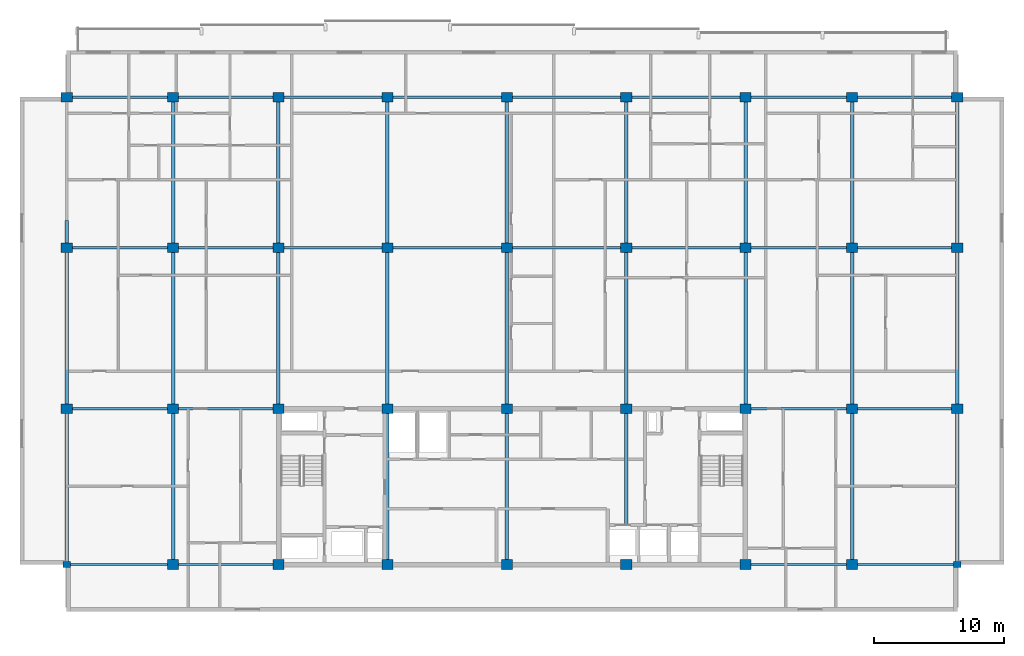
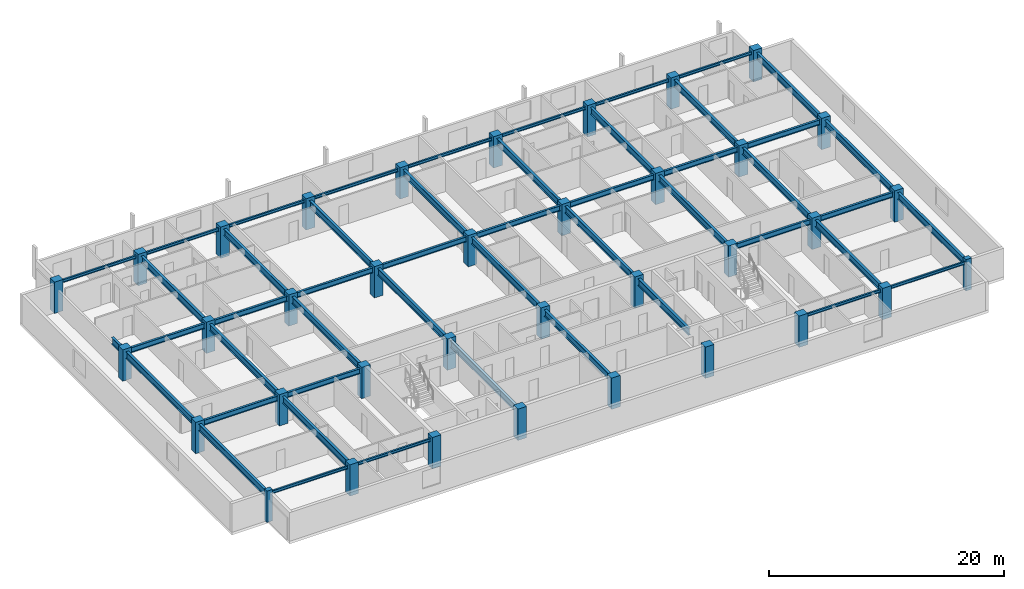
# One storey, part 1 of 10: 49 beams, 36 columns.
"""IFC4 building model written with IfcOpenShell, lengths in metres."""

import ifcopenshell
import ifcopenshell.guid

model = None  # the IFC model being written
_history = None  # IfcOwnerHistory: only IFC2X3 demands one
_inside = {}  # id of a spatial element -> (the spatial element, [elements in it])
_under = {}  # id of a project, library or spatial element -> (it, [spatial elements below it])
_declared = {}  # id of a project -> (the project, [libraries it declares])
_typed = {}  # id of a type object -> (the type object, [elements of that type])
_made_of = {}  # id of a material, layer set ... -> (it, [elements and type objects made of it])


def new_model(schema):
    """Start an empty IFC model of exactly this schema.

    Asked for "IFC4X3", IfcOpenShell would pick the latest addendum, in which some entities
    have other attributes; the version numbers below select the first issue.
    IFC2X3 requires an IfcOwnerHistory on every rooted entity: one is made here for all.
    """
    global model, _history
    if schema == "IFC4X3":
        model = ifcopenshell.file(schema_version=(4, 3, 0, 0))
    else:
        model = ifcopenshell.file(schema=schema)
    _inside.clear()
    _under.clear()
    _declared.clear()
    _typed.clear()
    _made_of.clear()
    _history = None
    if model.schema == "IFC2X3":
        org = make("IfcOrganization", Name="unknown")
        user = make(
            "IfcPersonAndOrganization",
            ThePerson=make("IfcPerson", FamilyName="unknown"),
            TheOrganization=org,
        )
        app = make(
            "IfcApplication",
            ApplicationDeveloper=org,
            Version="unknown",
            ApplicationFullName="unknown",
            ApplicationIdentifier="unknown",
        )
        _history = make(
            "IfcOwnerHistory",
            OwningUser=user,
            OwningApplication=app,
            ChangeAction="ADDED",
            CreationDate=0,
        )
    return model


def make(cls, **values):
    """One entity of the class cls with the attributes given. An attribute that is None is left unset."""
    return model.create_entity(
        cls, **{name: value for name, value in values.items() if value is not None}
    )


def rooted(cls, **values):
    """An entity with a GlobalId (a new one), such as an element, a storey or a relation."""
    return make(cls, GlobalId=ifcopenshell.guid.new(), OwnerHistory=_history, **values)


def si_unit(unit_type, name, prefix=None):
    """IfcSIUnit, for example si_unit("LENGTHUNIT", "METRE", prefix="MILLI")."""
    return make("IfcSIUnit", UnitType=unit_type, Prefix=prefix, Name=name)


def assignment(units):
    """IfcUnitAssignment: the units of a project."""
    return None if units is None else make("IfcUnitAssignment", Units=units)


def point(xyz):
    """IfcCartesianPoint."""
    return None if xyz is None else make("IfcCartesianPoint", Coordinates=xyz)


def direction(xyz):
    """IfcDirection."""
    return None if xyz is None else make("IfcDirection", DirectionRatios=xyz)


def frame(location, z_axis=None, x_axis=None):
    """IfcAxis2Placement3D, a coordinate frame: its origin and axes. An axis left out is left unset."""
    return make(
        "IfcAxis2Placement3D",
        Location=point(location),
        Axis=direction(z_axis),
        RefDirection=direction(x_axis),
    )


def frame_2d(location, x_axis=None):
    """IfcAxis2Placement2D, a coordinate frame in the plane: its origin and x axis."""
    return make(
        "IfcAxis2Placement2D", Location=point(location), RefDirection=direction(x_axis)
    )


def origin():
    """The frame at (0, 0, 0) with its axes left unset."""
    return frame((0.0, 0.0, 0.0))


def origin_2d():
    """The frame at (0, 0) in the plane with its x axis left unset."""
    return frame_2d((0.0, 0.0))


def place(relative_to, where):
    """IfcLocalPlacement: puts the frame where relative to a parent placement (None: the world)."""
    return make(
        "IfcLocalPlacement", PlacementRelTo=relative_to, RelativePlacement=where
    )


def context(
    kind, dimensions, precision=None, world=None, true_north=None, identifier=None
):
    """IfcGeometricRepresentationContext, for example the 3D "Model" context."""
    return make(
        "IfcGeometricRepresentationContext",
        ContextIdentifier=identifier,
        ContextType=kind,
        CoordinateSpaceDimension=dimensions,
        Precision=precision,
        WorldCoordinateSystem=world,
        TrueNorth=true_north,
    )


def subcontext(parent, identifier, kind, view, scale=None):
    """IfcGeometricRepresentationSubContext, for example "Body" below "Model"."""
    return make(
        "IfcGeometricRepresentationSubContext",
        ContextIdentifier=identifier,
        ContextType=kind,
        ParentContext=parent,
        TargetScale=scale,
        TargetView=view,
    )


def project(units=None, contexts=None):
    """IfcProject with its units and contexts."""
    return rooted(
        "IfcProject",
        Name="project",
        RepresentationContexts=contexts,
        UnitsInContext=assignment(units),
    )


def spatial(cls, under=None, at=None, **own):
    """A site, building, storey or space (cls), placed at a placement, below another one or the project."""
    s = rooted(cls, ObjectPlacement=at, **own)
    if under is not None:
        _under.setdefault(under.id(), (under, []))[1].append(s)
    return s


def profile(cls, at=None, kind="AREA", **sizes):
    """A parametric profile (cls). Its sizes go by their IFC names, for example OverallWidth=200.0."""
    return make(cls, ProfileType=kind, Position=at, **sizes)


def rectangle(**sizes):
    """IfcRectangleProfileDef."""
    return profile("IfcRectangleProfileDef", **sizes)


def i_section(**sizes):
    """IfcIShapeProfileDef."""
    return profile("IfcIShapeProfileDef", **sizes)


def extrude(swept, where, along, depth):
    """IfcExtrudedAreaSolid: the profile swept, set in the frame where, extruded along a direction by depth."""
    return make(
        "IfcExtrudedAreaSolid",
        SweptArea=swept,
        Position=where,
        ExtrudedDirection=direction(along),
        Depth=depth,
    )


def shape(context_of_items, identifier, shape_type, items):
    """IfcShapeRepresentation: the items that make up one representation, for example the "Body"."""
    return make(
        "IfcShapeRepresentation",
        ContextOfItems=context_of_items,
        RepresentationIdentifier=identifier,
        RepresentationType=shape_type,
        Items=items,
    )


def material(Name=None, Category=None):
    """IfcMaterial."""
    return make("IfcMaterial", Name=Name, Category=Category)


def material_profile(
    of_material, cross_section, Name=None, Category=None, Priority=None
):
    """IfcMaterialProfile: a cross section and its material."""
    return make(
        "IfcMaterialProfile",
        Name=Name,
        Material=of_material,
        Profile=cross_section,
        Priority=Priority,
        Category=Category,
    )


def profile_set(profiles, Name=None, composite=None):
    """IfcMaterialProfileSet."""
    return make(
        "IfcMaterialProfileSet",
        Name=Name,
        MaterialProfiles=profiles,
        CompositeProfile=composite,
    )


def made_of(thing, what):
    """Note that an element or type object is made of a material, layer set ...; save() writes the relation."""
    if what is not None:
        _made_of.setdefault(what.id(), (what, []))[1].append(thing)
    return thing


def type_object(cls, material=None, **own):
    """A type object (cls), such as IfcWallType, which elements share."""
    return made_of(rooted(cls, **own), material)


def element(
    cls,
    number,
    at=None,
    inside=None,
    cuts=None,
    type_object=None,
    material=None,
    context=None,
    identifier="Body",
    shape_type=None,
    held_by="IfcProductDefinitionShape",
    body=None,
    shapes=None,
    **own,
):
    """One element of the class cls, such as IfcWall. Its Tag is "e" and its number.

    at: its placement. inside: the storey or other place that contains it. cuts: it is an
    opening in that element (IfcRelVoidsElement). A single representation is given by context,
    identifier, shape_type and body (its items); several are given by shapes. held_by: the class
    of the entity that holds the representations. save() writes the other relations.
    """
    e = rooted(cls, Tag="e%d" % number, ObjectPlacement=at, **own)
    if body is not None:
        shapes = [shape(context, identifier, shape_type, body)]
    if shapes is not None:
        e.Representation = make(held_by, Representations=shapes)
    if inside is not None:
        _inside.setdefault(inside.id(), (inside, []))[1].append(e)
    if cuts is not None:
        rooted(
            "IfcRelVoidsElement", RelatingBuildingElement=cuts, RelatedOpeningElement=e
        )
    if type_object is not None:
        _typed.setdefault(type_object.id(), (type_object, []))[1].append(e)
    return made_of(e, material)


def aggregate(whole, parts):
    """IfcRelAggregates: a whole, such as a stair, and the parts it consists of."""
    return rooted("IfcRelAggregates", RelatingObject=whole, RelatedObjects=parts)


def save(model, path):
    """Write the relations noted so far, then the file.

    IfcRelAggregates (storeys below a building ...), IfcRelContainedInSpatialStructure (elements
    in a storey), IfcRelDefinesByType, IfcRelAssociatesMaterial and IfcRelDeclares: one each for
    every whole, place, type object, material and project.
    """
    for whole, parts in _under.values():
        aggregate(whole, parts)
    for where, things in _inside.values():
        rooted(
            "IfcRelContainedInSpatialStructure",
            RelatedElements=things,
            RelatingStructure=where,
        )
    for kind, things in _typed.values():
        rooted("IfcRelDefinesByType", RelatedObjects=things, RelatingType=kind)
    for what, things in _made_of.values():
        rooted("IfcRelAssociatesMaterial", RelatedObjects=things, RelatingMaterial=what)
    for by, libraries in _declared.values():
        rooted("IfcRelDeclares", RelatingContext=by, RelatedDefinitions=libraries)
    model.write(path)


model = new_model("IFC4")

# Units and contexts
model_context = context("Model", 3, precision=1e-05, world=origin(), true_north=direction((0.0, 1.0)))
body_context = subcontext(model_context, "Body", "Model", "MODEL_VIEW")
ifc_project = project(units=[si_unit("LENGTHUNIT", "METRE"), si_unit("AREAUNIT", "SQUARE_METRE"), si_unit("VOLUMEUNIT", "CUBIC_METRE"), si_unit("PLANEANGLEUNIT", "RADIAN"), si_unit("MASSUNIT", "GRAM", prefix="KILO")], contexts=[model_context])

# Site, building, storey
site_placement = place(None, origin())
site = spatial("IfcSite", under=ifc_project, at=site_placement, CompositionType="ELEMENT")
building_placement = place(site_placement, origin())
building = spatial("IfcBuilding", under=site, at=building_placement, Name="Korimba Cascade Residences", CompositionType="ELEMENT")
storey_placement = place(building_placement, frame((0.0, 0.0, 214.10009765625)))
storey = spatial("IfcBuildingStorey", under=building, at=storey_placement, Name="L62", CompositionType="ELEMENT", Elevation=214.10009765625)

# Columns
ifc_material_1 = material(Name="Concrete C65/80", Category="concrete")
ifc_material_profile_1 = material_profile(ifc_material_1, rectangle(XDim=0.550048828125, YDim=0.449951171875, at=origin_2d()), Name="Concrete C65/80")
ifc_profile_set_1 = profile_set([ifc_material_profile_1], Name="Concrete C65/80")
column_type_1 = type_object("IfcColumnType", Name="COL-PIL-550", PredefinedType="PILASTER", material=ifc_profile_set_1)
for number, where, z_axis, x_axis, name in (
    (1, (59.800048828125, 55.199951171875, 0.0), (0.0, 0.0, 1.0), (1.0, 0.0, 0.0), "L62 Tower 1 Column 1.1"),
    (2, (128.39990234375, 55.199951171875, 0.0), (0.0, 0.0, 1.0), (1.0, 0.0, 0.0), "L62 Tower 1 Column 9.1"),
):
    element("IfcColumn", number, at=place(storey_placement, frame(where, z_axis=z_axis, x_axis=x_axis)), inside=storey, type_object=column_type_1, Name=name, PredefinedType="PILASTER", context=body_context, shape_type="SweptSolid", body=[
        extrude(rectangle(XDim=0.550048828125, YDim=0.449951171875, at=origin_2d()), origin(), (0.0, 0.0, 1.0), 3.25),
    ])
ifc_material_profile_2 = material_profile(ifc_material_1, rectangle(XDim=0.85009765625, YDim=0.75, at=origin_2d()), Name="Concrete C65/80")
ifc_profile_set_2 = profile_set([ifc_material_profile_2], Name="Concrete C65/80")
column_type_2 = type_object("IfcColumnType", Name="COL-RC-850", PredefinedType="COLUMN", material=ifc_profile_set_2)
for number, where, z_axis, x_axis, name in (
    (3, (59.800048828125, 67.199951171875, 0.0), (0.0, 0.0, 1.0), (1.0, 0.0, 0.0), "L62 Tower 1 Column 1.2"),
    (4, (59.800048828125, 79.60009765625, 0.0), (0.0, 0.0, 1.0), (1.0, 0.0, 0.0), "L62 Tower 1 Column 1.3"),
    (5, (59.800048828125, 91.199951171875, 0.0), (0.0, 0.0, 1.0), (1.0, 0.0, 0.0), "L62 Tower 1 Column 1.4"),
    (6, (68.0, 55.199951171875, 0.0), (0.0, 0.0, 1.0), (1.0, 0.0, 0.0), "L62 Tower 1 Column 2.1"),
    (7, (68.0, 67.199951171875, 0.0), (0.0, 0.0, 1.0), (1.0, 0.0, 0.0), "L62 Tower 1 Column 2.2"),
    (8, (68.0, 79.60009765625, 0.0), (0.0, 0.0, 1.0), (1.0, 0.0, 0.0), "L62 Tower 1 Column 2.3"),
    (9, (68.0, 91.199951171875, 0.0), (0.0, 0.0, 1.0), (1.0, 0.0, 0.0), "L62 Tower 1 Column 2.4"),
    (10, (76.10009765625, 55.199951171875, 0.0), (0.0, 0.0, 1.0), (1.0, 0.0, 0.0), "L62 Tower 1 Column 3.1"),
    (11, (76.10009765625, 67.199951171875, 0.0), (0.0, 0.0, 1.0), (1.0, 0.0, 0.0), "L62 Tower 1 Column 3.2"),
    (12, (76.10009765625, 79.60009765625, 0.0), (0.0, 0.0, 1.0), (1.0, 0.0, 0.0), "L62 Tower 1 Column 3.3"),
    (13, (76.10009765625, 91.199951171875, 0.0), (0.0, 0.0, 1.0), (1.0, 0.0, 0.0), "L62 Tower 1 Column 3.4"),
    (14, (84.5, 55.199951171875, 0.0), (0.0, 0.0, 1.0), (1.0, 0.0, 0.0), "L62 Tower 1 Column 4.1"),
    (15, (84.5, 67.199951171875, 0.0), (0.0, 0.0, 1.0), (1.0, 0.0, 0.0), "L62 Tower 1 Column 4.2"),
    (16, (84.5, 79.60009765625, 0.0), (0.0, 0.0, 1.0), (1.0, 0.0, 0.0), "L62 Tower 1 Column 4.3"),
    (17, (84.5, 91.199951171875, 0.0), (0.0, 0.0, 1.0), (1.0, 0.0, 0.0), "L62 Tower 1 Column 4.4"),
    (18, (93.699951171875, 55.199951171875, 0.0), (0.0, 0.0, 1.0), (1.0, 0.0, 0.0), "L62 Tower 1 Column 5.1"),
    (19, (93.699951171875, 67.199951171875, 0.0), (0.0, 0.0, 1.0), (1.0, 0.0, 0.0), "L62 Tower 1 Column 5.2"),
    (20, (93.699951171875, 79.60009765625, 0.0), (0.0, 0.0, 1.0), (1.0, 0.0, 0.0), "L62 Tower 1 Column 5.3"),
    (21, (93.699951171875, 91.199951171875, 0.0), (0.0, 0.0, 1.0), (1.0, 0.0, 0.0), "L62 Tower 1 Column 5.4"),
    (22, (102.89990234375, 55.199951171875, 0.0), (0.0, 0.0, 1.0), (1.0, 0.0, 0.0), "L62 Tower 1 Column 6.1"),
    (23, (102.89990234375, 67.199951171875, 0.0), (0.0, 0.0, 1.0), (1.0, 0.0, 0.0), "L62 Tower 1 Column 6.2"),
    (24, (102.89990234375, 79.60009765625, 0.0), (0.0, 0.0, 1.0), (1.0, 0.0, 0.0), "L62 Tower 1 Column 6.3"),
    (25, (102.89990234375, 91.199951171875, 0.0), (0.0, 0.0, 1.0), (1.0, 0.0, 0.0), "L62 Tower 1 Column 6.4"),
    (26, (112.10009765625, 55.199951171875, 0.0), (0.0, 0.0, 1.0), (1.0, 0.0, 0.0), "L62 Tower 1 Column 7.1"),
    (27, (112.10009765625, 67.199951171875, 0.0), (0.0, 0.0, 1.0), (1.0, 0.0, 0.0), "L62 Tower 1 Column 7.2"),
    (28, (112.10009765625, 79.60009765625, 0.0), (0.0, 0.0, 1.0), (1.0, 0.0, 0.0), "L62 Tower 1 Column 7.3"),
    (29, (112.10009765625, 91.199951171875, 0.0), (0.0, 0.0, 1.0), (1.0, 0.0, 0.0), "L62 Tower 1 Column 7.4"),
    (30, (120.300048828125, 55.199951171875, 0.0), (0.0, 0.0, 1.0), (1.0, 0.0, 0.0), "L62 Tower 1 Column 8.1"),
    (31, (120.300048828125, 67.199951171875, 0.0), (0.0, 0.0, 1.0), (1.0, 0.0, 0.0), "L62 Tower 1 Column 8.2"),
    (32, (120.300048828125, 79.60009765625, 0.0), (0.0, 0.0, 1.0), (1.0, 0.0, 0.0), "L62 Tower 1 Column 8.3"),
    (33, (120.300048828125, 91.199951171875, 0.0), (0.0, 0.0, 1.0), (1.0, 0.0, 0.0), "L62 Tower 1 Column 8.4"),
    (34, (128.39990234375, 67.199951171875, 0.0), (0.0, 0.0, 1.0), (1.0, 0.0, 0.0), "L62 Tower 1 Column 9.2"),
    (35, (128.39990234375, 79.60009765625, 0.0), (0.0, 0.0, 1.0), (1.0, 0.0, 0.0), "L62 Tower 1 Column 9.3"),
    (36, (128.39990234375, 91.199951171875, 0.0), (0.0, 0.0, 1.0), (1.0, 0.0, 0.0), "L62 Tower 1 Column 9.4"),
):
    element("IfcColumn", number, at=place(storey_placement, frame(where, z_axis=z_axis, x_axis=x_axis)), inside=storey, type_object=column_type_2, Name=name, PredefinedType="COLUMN", context=body_context, shape_type="SweptSolid", body=[
        extrude(rectangle(XDim=0.85009765625, YDim=0.75, at=origin_2d()), origin(), (0.0, 0.0, 1.0), 3.25),
    ])

# Beams
ifc_material_2 = material(Name="Steel S355", Category="steel")
ifc_material_profile_3 = material_profile(ifc_material_2, i_section(OverallWidth=0.165771484375, OverallDepth=0.306640625, WebThickness=0.006591796875, FlangeThickness=0.01171875, FilletRadius=0.0087890625, at=origin_2d()), Name="Steel S355")
ifc_profile_set_3 = profile_set([ifc_material_profile_3], Name="Steel S355")
beam_type_1 = type_object("IfcBeamType", Name="BM-STL-UB305", PredefinedType="SPANDREL", material=ifc_profile_set_3)
beam_1_placement = place(storey_placement, frame((60.074951171875, 55.199951171875, 2.816650390625), z_axis=(1.0, 0.0, 0.0), x_axis=(0.0, 1.0, 0.0)))
element("IfcBeam", 37, at=beam_1_placement, inside=storey, type_object=beam_type_1, Name="L62 T1 E-W Girder Y1 Bay 1", PredefinedType="SPANDREL", context=body_context, shape_type="SweptSolid", body=[
    extrude(i_section(OverallWidth=0.165771484375, OverallDepth=0.306640625, WebThickness=0.006591796875, FlangeThickness=0.01171875, FilletRadius=0.0087890625, at=origin_2d()), origin(), (0.0, 0.0, 1.0), 7.5),
])
beam_2_placement = place(storey_placement, frame((68.425048828125, 55.199951171875, 2.816650390625), z_axis=(1.0, 0.0, 0.0), x_axis=(0.0, 1.0, 0.0)))
element("IfcBeam", 38, at=beam_2_placement, inside=storey, type_object=beam_type_1, Name="L62 T1 E-W Girder Y1 Bay 2", PredefinedType="SPANDREL", context=body_context, shape_type="SweptSolid", body=[
    extrude(i_section(OverallWidth=0.165771484375, OverallDepth=0.306640625, WebThickness=0.006591796875, FlangeThickness=0.01171875, FilletRadius=0.0087890625, at=origin_2d()), origin(), (0.0, 0.0, 1.0), 7.25),
])
beam_3_placement = place(storey_placement, frame((112.52490234375, 55.199951171875, 2.816650390625), z_axis=(1.0, 0.0, 0.0), x_axis=(0.0, 1.0, 0.0)))
element("IfcBeam", 39, at=beam_3_placement, inside=storey, type_object=beam_type_1, Name="L62 T1 E-W Girder Y1 Bay 7", PredefinedType="SPANDREL", context=body_context, shape_type="SweptSolid", body=[
    extrude(i_section(OverallWidth=0.165771484375, OverallDepth=0.306640625, WebThickness=0.006591796875, FlangeThickness=0.01171875, FilletRadius=0.0087890625, at=origin_2d()), origin(), (0.0, 0.0, 1.0), 7.35009765625),
])
beam_4_placement = place(storey_placement, frame((120.72509765625, 55.199951171875, 2.816650390625), z_axis=(1.0, 0.0, 0.0), x_axis=(0.0, 1.0, 0.0)))
element("IfcBeam", 40, at=beam_4_placement, inside=storey, type_object=beam_type_1, Name="L62 T1 E-W Girder Y1 Bay 8", PredefinedType="SPANDREL", context=body_context, shape_type="SweptSolid", body=[
    extrude(i_section(OverallWidth=0.165771484375, OverallDepth=0.306640625, WebThickness=0.006591796875, FlangeThickness=0.01171875, FilletRadius=0.0087890625, at=origin_2d()), origin(), (0.0, 0.0, 1.0), 7.39990234375),
])
beam_5_placement = place(storey_placement, frame((60.22509765625, 91.199951171875, 2.816650390625), z_axis=(1.0, 0.0, 0.0), x_axis=(0.0, 1.0, 0.0)))
element("IfcBeam", 41, at=beam_5_placement, inside=storey, type_object=beam_type_1, Name="L62 T1 E-W Girder Y4 Bay 1", PredefinedType="SPANDREL", context=body_context, shape_type="SweptSolid", body=[
    extrude(i_section(OverallWidth=0.165771484375, OverallDepth=0.306640625, WebThickness=0.006591796875, FlangeThickness=0.01171875, FilletRadius=0.0087890625, at=origin_2d()), origin(), (0.0, 0.0, 1.0), 7.349853515625),
])
beam_6_placement = place(storey_placement, frame((68.425048828125, 91.199951171875, 2.816650390625), z_axis=(1.0, 0.0, 0.0), x_axis=(0.0, 1.0, 0.0)))
element("IfcBeam", 42, at=beam_6_placement, inside=storey, type_object=beam_type_1, Name="L62 T1 E-W Girder Y4 Bay 2", PredefinedType="SPANDREL", context=body_context, shape_type="SweptSolid", body=[
    extrude(i_section(OverallWidth=0.165771484375, OverallDepth=0.306640625, WebThickness=0.006591796875, FlangeThickness=0.01171875, FilletRadius=0.0087890625, at=origin_2d()), origin(), (0.0, 0.0, 1.0), 7.25),
])
beam_7_placement = place(storey_placement, frame((76.52490234375, 91.199951171875, 2.816650390625), z_axis=(1.0, 0.0, 0.0), x_axis=(0.0, 1.0, 0.0)))
element("IfcBeam", 43, at=beam_7_placement, inside=storey, type_object=beam_type_1, Name="L62 T1 E-W Girder Y4 Bay 3", PredefinedType="SPANDREL", context=body_context, shape_type="SweptSolid", body=[
    extrude(i_section(OverallWidth=0.165771484375, OverallDepth=0.306640625, WebThickness=0.006591796875, FlangeThickness=0.01171875, FilletRadius=0.0087890625, at=origin_2d()), origin(), (0.0, 0.0, 1.0), 7.550048828125),
])
beam_8_placement = place(storey_placement, frame((84.925048828125, 91.199951171875, 2.816650390625), z_axis=(1.0, 0.0, 0.0), x_axis=(0.0, 1.0, 0.0)))
element("IfcBeam", 44, at=beam_8_placement, inside=storey, type_object=beam_type_1, Name="L62 T1 E-W Girder Y4 Bay 4", PredefinedType="SPANDREL", context=body_context, shape_type="SweptSolid", body=[
    extrude(i_section(OverallWidth=0.165771484375, OverallDepth=0.306640625, WebThickness=0.006591796875, FlangeThickness=0.01171875, FilletRadius=0.0087890625, at=origin_2d()), origin(), (0.0, 0.0, 1.0), 8.349853515625),
])
for number, where, z_axis, x_axis, name in (
    (45, (94.125, 91.199951171875, 2.816650390625), (1.0, 0.0, 0.0), (0.0, 1.0, 0.0), "L62 T1 E-W Girder Y4 Bay 5"),
    (46, (103.324951171875, 91.199951171875, 2.816650390625), (1.0, 0.0, 0.0), (0.0, 1.0, 0.0), "L62 T1 E-W Girder Y4 Bay 6"),
):
    element("IfcBeam", number, at=place(storey_placement, frame(where, z_axis=z_axis, x_axis=x_axis)), inside=storey, type_object=beam_type_1, Name=name, PredefinedType="SPANDREL", context=body_context, shape_type="SweptSolid", body=[
        extrude(i_section(OverallWidth=0.165771484375, OverallDepth=0.306640625, WebThickness=0.006591796875, FlangeThickness=0.01171875, FilletRadius=0.0087890625, at=origin_2d()), origin(), (0.0, 0.0, 1.0), 8.35009765625),
    ])
beam_9_placement = place(storey_placement, frame((112.52490234375, 91.199951171875, 2.816650390625), z_axis=(1.0, 0.0, 0.0), x_axis=(0.0, 1.0, 0.0)))
element("IfcBeam", 47, at=beam_9_placement, inside=storey, type_object=beam_type_1, Name="L62 T1 E-W Girder Y4 Bay 7", PredefinedType="SPANDREL", context=body_context, shape_type="SweptSolid", body=[
    extrude(i_section(OverallWidth=0.165771484375, OverallDepth=0.306640625, WebThickness=0.006591796875, FlangeThickness=0.01171875, FilletRadius=0.0087890625, at=origin_2d()), origin(), (0.0, 0.0, 1.0), 7.35009765625),
])
beam_10_placement = place(storey_placement, frame((120.72509765625, 91.199951171875, 2.816650390625), z_axis=(1.0, 0.0, 0.0), x_axis=(0.0, 1.0, 0.0)))
element("IfcBeam", 48, at=beam_10_placement, inside=storey, type_object=beam_type_1, Name="L62 T1 E-W Girder Y4 Bay 8", PredefinedType="SPANDREL", context=body_context, shape_type="SweptSolid", body=[
    extrude(i_section(OverallWidth=0.165771484375, OverallDepth=0.306640625, WebThickness=0.006591796875, FlangeThickness=0.01171875, FilletRadius=0.0087890625, at=origin_2d()), origin(), (0.0, 0.0, 1.0), 7.25),
])
ifc_material_profile_4 = material_profile(ifc_material_2, i_section(OverallWidth=0.2099609375, OverallDepth=0.53662109375, WebThickness=0.0107421875, FlangeThickness=0.017333984375, FilletRadius=0.0126953125, at=origin_2d()), Name="Steel S355")
ifc_profile_set_4 = profile_set([ifc_material_profile_4], Name="Steel S355")
beam_type_2 = type_object("IfcBeamType", Name="BM-STL-UB533", PredefinedType="BEAM", material=ifc_profile_set_4)
beam_11_placement = place(storey_placement, frame((60.22509765625, 67.199951171875, 2.701416015625), z_axis=(1.0, 0.0, 0.0), x_axis=(0.0, 1.0, 0.0)))
element("IfcBeam", 49, at=beam_11_placement, inside=storey, type_object=beam_type_2, Name="L62 T1 E-W Girder Y2 Bay 1", PredefinedType="BEAM", context=body_context, shape_type="SweptSolid", body=[
    extrude(i_section(OverallWidth=0.2099609375, OverallDepth=0.53662109375, WebThickness=0.0107421875, FlangeThickness=0.017333984375, FilletRadius=0.0126953125, at=origin_2d()), origin(), (0.0, 0.0, 1.0), 7.349853515625),
])
beam_12_placement = place(storey_placement, frame((68.425048828125, 67.199951171875, 2.701416015625), z_axis=(1.0, 0.0, 0.0), x_axis=(0.0, 1.0, 0.0)))
element("IfcBeam", 50, at=beam_12_placement, inside=storey, type_object=beam_type_2, Name="L62 T1 E-W Girder Y2 Bay 2", PredefinedType="BEAM", context=body_context, shape_type="SweptSolid", body=[
    extrude(i_section(OverallWidth=0.2099609375, OverallDepth=0.53662109375, WebThickness=0.0107421875, FlangeThickness=0.017333984375, FilletRadius=0.0126953125, at=origin_2d()), origin(), (0.0, 0.0, 1.0), 7.25),
])
beam_13_placement = place(storey_placement, frame((112.52490234375, 67.199951171875, 2.701416015625), z_axis=(1.0, 0.0, 0.0), x_axis=(0.0, 1.0, 0.0)))
element("IfcBeam", 51, at=beam_13_placement, inside=storey, type_object=beam_type_2, Name="L62 T1 E-W Girder Y2 Bay 7", PredefinedType="BEAM", context=body_context, shape_type="SweptSolid", body=[
    extrude(i_section(OverallWidth=0.2099609375, OverallDepth=0.53662109375, WebThickness=0.0107421875, FlangeThickness=0.017333984375, FilletRadius=0.0126953125, at=origin_2d()), origin(), (0.0, 0.0, 1.0), 7.35009765625),
])
beam_14_placement = place(storey_placement, frame((120.72509765625, 67.199951171875, 2.701416015625), z_axis=(1.0, 0.0, 0.0), x_axis=(0.0, 1.0, 0.0)))
element("IfcBeam", 52, at=beam_14_placement, inside=storey, type_object=beam_type_2, Name="L62 T1 E-W Girder Y2 Bay 8", PredefinedType="BEAM", context=body_context, shape_type="SweptSolid", body=[
    extrude(i_section(OverallWidth=0.2099609375, OverallDepth=0.53662109375, WebThickness=0.0107421875, FlangeThickness=0.017333984375, FilletRadius=0.0126953125, at=origin_2d()), origin(), (0.0, 0.0, 1.0), 7.25),
])
beam_15_placement = place(storey_placement, frame((60.22509765625, 79.60009765625, 2.701416015625), z_axis=(1.0, 0.0, 0.0), x_axis=(0.0, 1.0, 0.0)))
element("IfcBeam", 53, at=beam_15_placement, inside=storey, type_object=beam_type_2, Name="L62 T1 E-W Girder Y3 Bay 1", PredefinedType="BEAM", context=body_context, shape_type="SweptSolid", body=[
    extrude(i_section(OverallWidth=0.2099609375, OverallDepth=0.53662109375, WebThickness=0.0107421875, FlangeThickness=0.017333984375, FilletRadius=0.0126953125, at=origin_2d()), origin(), (0.0, 0.0, 1.0), 7.349853515625),
])
beam_16_placement = place(storey_placement, frame((68.425048828125, 79.60009765625, 2.701416015625), z_axis=(1.0, 0.0, 0.0), x_axis=(0.0, 1.0, 0.0)))
element("IfcBeam", 54, at=beam_16_placement, inside=storey, type_object=beam_type_2, Name="L62 T1 E-W Girder Y3 Bay 2", PredefinedType="BEAM", context=body_context, shape_type="SweptSolid", body=[
    extrude(i_section(OverallWidth=0.2099609375, OverallDepth=0.53662109375, WebThickness=0.0107421875, FlangeThickness=0.017333984375, FilletRadius=0.0126953125, at=origin_2d()), origin(), (0.0, 0.0, 1.0), 7.25),
])
beam_17_placement = place(storey_placement, frame((76.52490234375, 79.60009765625, 2.701416015625), z_axis=(1.0, 0.0, 0.0), x_axis=(0.0, 1.0, 0.0)))
element("IfcBeam", 55, at=beam_17_placement, inside=storey, type_object=beam_type_2, Name="L62 T1 E-W Girder Y3 Bay 3", PredefinedType="BEAM", context=body_context, shape_type="SweptSolid", body=[
    extrude(i_section(OverallWidth=0.2099609375, OverallDepth=0.53662109375, WebThickness=0.0107421875, FlangeThickness=0.017333984375, FilletRadius=0.0126953125, at=origin_2d()), origin(), (0.0, 0.0, 1.0), 7.550048828125),
])
beam_18_placement = place(storey_placement, frame((84.925048828125, 79.60009765625, 2.701416015625), z_axis=(1.0, 0.0, 0.0), x_axis=(0.0, 1.0, 0.0)))
element("IfcBeam", 56, at=beam_18_placement, inside=storey, type_object=beam_type_2, Name="L62 T1 E-W Girder Y3 Bay 4", PredefinedType="BEAM", context=body_context, shape_type="SweptSolid", body=[
    extrude(i_section(OverallWidth=0.2099609375, OverallDepth=0.53662109375, WebThickness=0.0107421875, FlangeThickness=0.017333984375, FilletRadius=0.0126953125, at=origin_2d()), origin(), (0.0, 0.0, 1.0), 8.349853515625),
])
for number, where, z_axis, x_axis, name in (
    (57, (94.125, 79.60009765625, 2.701416015625), (1.0, 0.0, 0.0), (0.0, 1.0, 0.0), "L62 T1 E-W Girder Y3 Bay 5"),
    (58, (103.324951171875, 79.60009765625, 2.701416015625), (1.0, 0.0, 0.0), (0.0, 1.0, 0.0), "L62 T1 E-W Girder Y3 Bay 6"),
):
    element("IfcBeam", number, at=place(storey_placement, frame(where, z_axis=z_axis, x_axis=x_axis)), inside=storey, type_object=beam_type_2, Name=name, PredefinedType="BEAM", context=body_context, shape_type="SweptSolid", body=[
        extrude(i_section(OverallWidth=0.2099609375, OverallDepth=0.53662109375, WebThickness=0.0107421875, FlangeThickness=0.017333984375, FilletRadius=0.0126953125, at=origin_2d()), origin(), (0.0, 0.0, 1.0), 8.35009765625),
    ])
beam_19_placement = place(storey_placement, frame((112.52490234375, 79.60009765625, 2.701416015625), z_axis=(1.0, 0.0, 0.0), x_axis=(0.0, 1.0, 0.0)))
element("IfcBeam", 59, at=beam_19_placement, inside=storey, type_object=beam_type_2, Name="L62 T1 E-W Girder Y3 Bay 7", PredefinedType="BEAM", context=body_context, shape_type="SweptSolid", body=[
    extrude(i_section(OverallWidth=0.2099609375, OverallDepth=0.53662109375, WebThickness=0.0107421875, FlangeThickness=0.017333984375, FilletRadius=0.0126953125, at=origin_2d()), origin(), (0.0, 0.0, 1.0), 7.35009765625),
])
beam_20_placement = place(storey_placement, frame((120.72509765625, 79.60009765625, 2.701416015625), z_axis=(1.0, 0.0, 0.0), x_axis=(0.0, 1.0, 0.0)))
element("IfcBeam", 60, at=beam_20_placement, inside=storey, type_object=beam_type_2, Name="L62 T1 E-W Girder Y3 Bay 8", PredefinedType="BEAM", context=body_context, shape_type="SweptSolid", body=[
    extrude(i_section(OverallWidth=0.2099609375, OverallDepth=0.53662109375, WebThickness=0.0107421875, FlangeThickness=0.017333984375, FilletRadius=0.0126953125, at=origin_2d()), origin(), (0.0, 0.0, 1.0), 7.25),
])
ifc_material_profile_5 = material_profile(ifc_material_2, i_section(OverallWidth=0.255859375, OverallDepth=0.69287109375, WebThickness=0.014404296875, FlangeThickness=0.023681640625, FilletRadius=0.01513671875, at=origin_2d()), Name="Steel S355")
ifc_profile_set_5 = profile_set([ifc_material_profile_5], Name="Steel S355")
beam_type_3 = type_object("IfcBeamType", Name="BM-STL-UB686", PredefinedType="BEAM", material=ifc_profile_set_5)
beam_21_placement = place(storey_placement, frame((59.800048828125, 55.425048828125, 2.623291015625), z_axis=(0.0, 1.0, 0.0), x_axis=(-1.0, 0.0, 0.0)))
element("IfcBeam", 61, at=beam_21_placement, inside=storey, type_object=beam_type_3, Name="L62 T1 N-S Girder X1 Seg 1", PredefinedType="BEAM", context=body_context, shape_type="SweptSolid", body=[
    extrude(i_section(OverallWidth=0.255859375, OverallDepth=0.69287109375, WebThickness=0.014404296875, FlangeThickness=0.023681640625, FilletRadius=0.01513671875, at=origin_2d()), origin(), (0.0, 0.0, 1.0), 11.39990234375),
])
beam_22_placement = place(storey_placement, frame((59.800048828125, 67.574951171875, 2.623291015625), z_axis=(0.0, 1.0, 0.0), x_axis=(-1.0, 0.0, 0.0)))
element("IfcBeam", 62, at=beam_22_placement, inside=storey, type_object=beam_type_3, Name="L62 T1 N-S Girder X1 Seg 2", PredefinedType="BEAM", context=body_context, shape_type="SweptSolid", body=[
    extrude(i_section(OverallWidth=0.255859375, OverallDepth=0.69287109375, WebThickness=0.014404296875, FlangeThickness=0.023681640625, FilletRadius=0.01513671875, at=origin_2d()), origin(), (0.0, 0.0, 1.0), 11.650146484375),
])
beam_23_placement = place(storey_placement, frame((59.800048828125, 79.97509765625, 2.623291015625), z_axis=(0.0, 1.0, 0.0), x_axis=(-1.0, 0.0, 0.0)))
element("IfcBeam", 63, at=beam_23_placement, inside=storey, type_object=beam_type_3, Name="L62 T1 N-S Girder X1 Seg 3", PredefinedType="BEAM", context=body_context, shape_type="SweptSolid", body=[
    extrude(i_section(OverallWidth=0.255859375, OverallDepth=0.69287109375, WebThickness=0.014404296875, FlangeThickness=0.023681640625, FilletRadius=0.01513671875, at=origin_2d()), origin(), (0.0, 0.0, 1.0), 1.724853515625),
])
beam_24_placement = place(storey_placement, frame((68.0, 55.574951171875, 2.623291015625), z_axis=(0.0, 1.0, 0.0), x_axis=(-1.0, 0.0, 0.0)))
element("IfcBeam", 64, at=beam_24_placement, inside=storey, type_object=beam_type_3, Name="L62 T1 N-S Girder X2 Seg 1", PredefinedType="BEAM", context=body_context, shape_type="SweptSolid", body=[
    extrude(i_section(OverallWidth=0.255859375, OverallDepth=0.69287109375, WebThickness=0.014404296875, FlangeThickness=0.023681640625, FilletRadius=0.01513671875, at=origin_2d()), origin(), (0.0, 0.0, 1.0), 11.25),
])
beam_25_placement = place(storey_placement, frame((68.0, 67.574951171875, 2.623291015625), z_axis=(0.0, 1.0, 0.0), x_axis=(-1.0, 0.0, 0.0)))
element("IfcBeam", 65, at=beam_25_placement, inside=storey, type_object=beam_type_3, Name="L62 T1 N-S Girder X2 Seg 2", PredefinedType="BEAM", context=body_context, shape_type="SweptSolid", body=[
    extrude(i_section(OverallWidth=0.255859375, OverallDepth=0.69287109375, WebThickness=0.014404296875, FlangeThickness=0.023681640625, FilletRadius=0.01513671875, at=origin_2d()), origin(), (0.0, 0.0, 1.0), 11.650146484375),
])
beam_26_placement = place(storey_placement, frame((68.0, 79.97509765625, 2.623291015625), z_axis=(0.0, 1.0, 0.0), x_axis=(-1.0, 0.0, 0.0)))
element("IfcBeam", 66, at=beam_26_placement, inside=storey, type_object=beam_type_3, Name="L62 T1 N-S Girder X2 Seg 3", PredefinedType="BEAM", context=body_context, shape_type="SweptSolid", body=[
    extrude(i_section(OverallWidth=0.255859375, OverallDepth=0.69287109375, WebThickness=0.014404296875, FlangeThickness=0.023681640625, FilletRadius=0.01513671875, at=origin_2d()), origin(), (0.0, 0.0, 1.0), 10.849853515625),
])
beam_27_placement = place(storey_placement, frame((76.10009765625, 67.574951171875, 2.623291015625), z_axis=(0.0, 1.0, 0.0), x_axis=(-1.0, 0.0, 0.0)))
element("IfcBeam", 67, at=beam_27_placement, inside=storey, type_object=beam_type_3, Name="L62 T1 N-S Girder X3 Seg 2", PredefinedType="BEAM", context=body_context, shape_type="SweptSolid", body=[
    extrude(i_section(OverallWidth=0.255859375, OverallDepth=0.69287109375, WebThickness=0.014404296875, FlangeThickness=0.023681640625, FilletRadius=0.01513671875, at=origin_2d()), origin(), (0.0, 0.0, 1.0), 11.650146484375),
])
beam_28_placement = place(storey_placement, frame((76.10009765625, 79.97509765625, 2.623291015625), z_axis=(0.0, 1.0, 0.0), x_axis=(-1.0, 0.0, 0.0)))
element("IfcBeam", 68, at=beam_28_placement, inside=storey, type_object=beam_type_3, Name="L62 T1 N-S Girder X3 Seg 3", PredefinedType="BEAM", context=body_context, shape_type="SweptSolid", body=[
    extrude(i_section(OverallWidth=0.255859375, OverallDepth=0.69287109375, WebThickness=0.014404296875, FlangeThickness=0.023681640625, FilletRadius=0.01513671875, at=origin_2d()), origin(), (0.0, 0.0, 1.0), 10.849853515625),
])
beam_29_placement = place(storey_placement, frame((84.5, 55.574951171875, 2.623291015625), z_axis=(0.0, 1.0, 0.0), x_axis=(-1.0, 0.0, 0.0)))
element("IfcBeam", 69, at=beam_29_placement, inside=storey, type_object=beam_type_3, Name="L62 T1 N-S Girder X4 Seg 1", PredefinedType="BEAM", context=body_context, shape_type="SweptSolid", body=[
    extrude(i_section(OverallWidth=0.255859375, OverallDepth=0.69287109375, WebThickness=0.014404296875, FlangeThickness=0.023681640625, FilletRadius=0.01513671875, at=origin_2d()), origin(), (0.0, 0.0, 1.0), 11.25),
])
beam_30_placement = place(storey_placement, frame((84.5, 67.574951171875, 2.623291015625), z_axis=(0.0, 1.0, 0.0), x_axis=(-1.0, 0.0, 0.0)))
element("IfcBeam", 70, at=beam_30_placement, inside=storey, type_object=beam_type_3, Name="L62 T1 N-S Girder X4 Seg 2", PredefinedType="BEAM", context=body_context, shape_type="SweptSolid", body=[
    extrude(i_section(OverallWidth=0.255859375, OverallDepth=0.69287109375, WebThickness=0.014404296875, FlangeThickness=0.023681640625, FilletRadius=0.01513671875, at=origin_2d()), origin(), (0.0, 0.0, 1.0), 11.650146484375),
])
beam_31_placement = place(storey_placement, frame((84.5, 79.97509765625, 2.623291015625), z_axis=(0.0, 1.0, 0.0), x_axis=(-1.0, 0.0, 0.0)))
element("IfcBeam", 71, at=beam_31_placement, inside=storey, type_object=beam_type_3, Name="L62 T1 N-S Girder X4 Seg 3", PredefinedType="BEAM", context=body_context, shape_type="SweptSolid", body=[
    extrude(i_section(OverallWidth=0.255859375, OverallDepth=0.69287109375, WebThickness=0.014404296875, FlangeThickness=0.023681640625, FilletRadius=0.01513671875, at=origin_2d()), origin(), (0.0, 0.0, 1.0), 10.849853515625),
])
beam_32_placement = place(storey_placement, frame((93.699951171875, 55.574951171875, 2.623291015625), z_axis=(0.0, 1.0, 0.0), x_axis=(-1.0, 0.0, 0.0)))
element("IfcBeam", 72, at=beam_32_placement, inside=storey, type_object=beam_type_3, Name="L62 T1 N-S Girder X5 Seg 1", PredefinedType="BEAM", context=body_context, shape_type="SweptSolid", body=[
    extrude(i_section(OverallWidth=0.255859375, OverallDepth=0.69287109375, WebThickness=0.014404296875, FlangeThickness=0.023681640625, FilletRadius=0.01513671875, at=origin_2d()), origin(), (0.0, 0.0, 1.0), 11.25),
])
beam_33_placement = place(storey_placement, frame((93.699951171875, 67.574951171875, 2.623291015625), z_axis=(0.0, 1.0, 0.0), x_axis=(-1.0, 0.0, 0.0)))
element("IfcBeam", 73, at=beam_33_placement, inside=storey, type_object=beam_type_3, Name="L62 T1 N-S Girder X5 Seg 2", PredefinedType="BEAM", context=body_context, shape_type="SweptSolid", body=[
    extrude(i_section(OverallWidth=0.255859375, OverallDepth=0.69287109375, WebThickness=0.014404296875, FlangeThickness=0.023681640625, FilletRadius=0.01513671875, at=origin_2d()), origin(), (0.0, 0.0, 1.0), 11.650146484375),
])
beam_34_placement = place(storey_placement, frame((93.699951171875, 79.97509765625, 2.623291015625), z_axis=(0.0, 1.0, 0.0), x_axis=(-1.0, 0.0, 0.0)))
element("IfcBeam", 74, at=beam_34_placement, inside=storey, type_object=beam_type_3, Name="L62 T1 N-S Girder X5 Seg 3", PredefinedType="BEAM", context=body_context, shape_type="SweptSolid", body=[
    extrude(i_section(OverallWidth=0.255859375, OverallDepth=0.69287109375, WebThickness=0.014404296875, FlangeThickness=0.023681640625, FilletRadius=0.01513671875, at=origin_2d()), origin(), (0.0, 0.0, 1.0), 10.849853515625),
])
beam_35_placement = place(storey_placement, frame((102.89990234375, 58.260009765625, 2.623291015625), z_axis=(0.0, 1.0, 0.0), x_axis=(-1.0, 0.0, 0.0)))
element("IfcBeam", 75, at=beam_35_placement, inside=storey, type_object=beam_type_3, Name="L62 T1 N-S Girder X6 Seg 1", PredefinedType="BEAM", context=body_context, shape_type="SweptSolid", body=[
    extrude(i_section(OverallWidth=0.255859375, OverallDepth=0.69287109375, WebThickness=0.014404296875, FlangeThickness=0.023681640625, FilletRadius=0.01513671875, at=origin_2d()), origin(), (0.0, 0.0, 1.0), 8.56494140625),
])
beam_36_placement = place(storey_placement, frame((102.89990234375, 67.574951171875, 2.623291015625), z_axis=(0.0, 1.0, 0.0), x_axis=(-1.0, 0.0, 0.0)))
element("IfcBeam", 76, at=beam_36_placement, inside=storey, type_object=beam_type_3, Name="L62 T1 N-S Girder X6 Seg 2", PredefinedType="BEAM", context=body_context, shape_type="SweptSolid", body=[
    extrude(i_section(OverallWidth=0.255859375, OverallDepth=0.69287109375, WebThickness=0.014404296875, FlangeThickness=0.023681640625, FilletRadius=0.01513671875, at=origin_2d()), origin(), (0.0, 0.0, 1.0), 11.650146484375),
])
beam_37_placement = place(storey_placement, frame((102.89990234375, 79.97509765625, 2.623291015625), z_axis=(0.0, 1.0, 0.0), x_axis=(-1.0, 0.0, 0.0)))
element("IfcBeam", 77, at=beam_37_placement, inside=storey, type_object=beam_type_3, Name="L62 T1 N-S Girder X6 Seg 3", PredefinedType="BEAM", context=body_context, shape_type="SweptSolid", body=[
    extrude(i_section(OverallWidth=0.255859375, OverallDepth=0.69287109375, WebThickness=0.014404296875, FlangeThickness=0.023681640625, FilletRadius=0.01513671875, at=origin_2d()), origin(), (0.0, 0.0, 1.0), 10.849853515625),
])
beam_38_placement = place(storey_placement, frame((112.10009765625, 67.574951171875, 2.623291015625), z_axis=(0.0, 1.0, 0.0), x_axis=(-1.0, 0.0, 0.0)))
element("IfcBeam", 78, at=beam_38_placement, inside=storey, type_object=beam_type_3, Name="L62 T1 N-S Girder X7 Seg 2", PredefinedType="BEAM", context=body_context, shape_type="SweptSolid", body=[
    extrude(i_section(OverallWidth=0.255859375, OverallDepth=0.69287109375, WebThickness=0.014404296875, FlangeThickness=0.023681640625, FilletRadius=0.01513671875, at=origin_2d()), origin(), (0.0, 0.0, 1.0), 11.650146484375),
])
beam_39_placement = place(storey_placement, frame((112.10009765625, 79.97509765625, 2.623291015625), z_axis=(0.0, 1.0, 0.0), x_axis=(-1.0, 0.0, 0.0)))
element("IfcBeam", 79, at=beam_39_placement, inside=storey, type_object=beam_type_3, Name="L62 T1 N-S Girder X7 Seg 3", PredefinedType="BEAM", context=body_context, shape_type="SweptSolid", body=[
    extrude(i_section(OverallWidth=0.255859375, OverallDepth=0.69287109375, WebThickness=0.014404296875, FlangeThickness=0.023681640625, FilletRadius=0.01513671875, at=origin_2d()), origin(), (0.0, 0.0, 1.0), 10.849853515625),
])
beam_40_placement = place(storey_placement, frame((120.300048828125, 55.574951171875, 2.623291015625), z_axis=(0.0, 1.0, 0.0), x_axis=(-1.0, 0.0, 0.0)))
element("IfcBeam", 80, at=beam_40_placement, inside=storey, type_object=beam_type_3, Name="L62 T1 N-S Girder X8 Seg 1", PredefinedType="BEAM", context=body_context, shape_type="SweptSolid", body=[
    extrude(i_section(OverallWidth=0.255859375, OverallDepth=0.69287109375, WebThickness=0.014404296875, FlangeThickness=0.023681640625, FilletRadius=0.01513671875, at=origin_2d()), origin(), (0.0, 0.0, 1.0), 11.25),
])
beam_41_placement = place(storey_placement, frame((120.300048828125, 67.574951171875, 2.623291015625), z_axis=(0.0, 1.0, 0.0), x_axis=(-1.0, 0.0, 0.0)))
element("IfcBeam", 81, at=beam_41_placement, inside=storey, type_object=beam_type_3, Name="L62 T1 N-S Girder X8 Seg 2", PredefinedType="BEAM", context=body_context, shape_type="SweptSolid", body=[
    extrude(i_section(OverallWidth=0.255859375, OverallDepth=0.69287109375, WebThickness=0.014404296875, FlangeThickness=0.023681640625, FilletRadius=0.01513671875, at=origin_2d()), origin(), (0.0, 0.0, 1.0), 11.650146484375),
])
beam_42_placement = place(storey_placement, frame((120.300048828125, 79.97509765625, 2.623291015625), z_axis=(0.0, 1.0, 0.0), x_axis=(-1.0, 0.0, 0.0)))
element("IfcBeam", 82, at=beam_42_placement, inside=storey, type_object=beam_type_3, Name="L62 T1 N-S Girder X8 Seg 3", PredefinedType="BEAM", context=body_context, shape_type="SweptSolid", body=[
    extrude(i_section(OverallWidth=0.255859375, OverallDepth=0.69287109375, WebThickness=0.014404296875, FlangeThickness=0.023681640625, FilletRadius=0.01513671875, at=origin_2d()), origin(), (0.0, 0.0, 1.0), 10.849853515625),
])
beam_43_placement = place(storey_placement, frame((128.39990234375, 55.425048828125, 2.623291015625), z_axis=(0.0, 1.0, 0.0), x_axis=(-1.0, 0.0, 0.0)))
element("IfcBeam", 83, at=beam_43_placement, inside=storey, type_object=beam_type_3, Name="L62 T1 N-S Girder X9 Seg 1", PredefinedType="BEAM", context=body_context, shape_type="SweptSolid", body=[
    extrude(i_section(OverallWidth=0.255859375, OverallDepth=0.69287109375, WebThickness=0.014404296875, FlangeThickness=0.023681640625, FilletRadius=0.01513671875, at=origin_2d()), origin(), (0.0, 0.0, 1.0), 11.39990234375),
])
beam_44_placement = place(storey_placement, frame((128.39990234375, 67.574951171875, 2.623291015625), z_axis=(0.0, 1.0, 0.0), x_axis=(-1.0, 0.0, 0.0)))
element("IfcBeam", 84, at=beam_44_placement, inside=storey, type_object=beam_type_3, Name="L62 T1 N-S Girder X9 Seg 2", PredefinedType="BEAM", context=body_context, shape_type="SweptSolid", body=[
    extrude(i_section(OverallWidth=0.255859375, OverallDepth=0.69287109375, WebThickness=0.014404296875, FlangeThickness=0.023681640625, FilletRadius=0.01513671875, at=origin_2d()), origin(), (0.0, 0.0, 1.0), 11.650146484375),
])
beam_45_placement = place(storey_placement, frame((128.39990234375, 79.97509765625, 2.623291015625), z_axis=(0.0, 1.0, 0.0), x_axis=(-1.0, 0.0, 0.0)))
element("IfcBeam", 85, at=beam_45_placement, inside=storey, type_object=beam_type_3, Name="L62 T1 N-S Girder X9 Seg 3", PredefinedType="BEAM", context=body_context, shape_type="SweptSolid", body=[
    extrude(i_section(OverallWidth=0.255859375, OverallDepth=0.69287109375, WebThickness=0.014404296875, FlangeThickness=0.023681640625, FilletRadius=0.01513671875, at=origin_2d()), origin(), (0.0, 0.0, 1.0), 10.849853515625),
])

save(model, "model.ifc")
